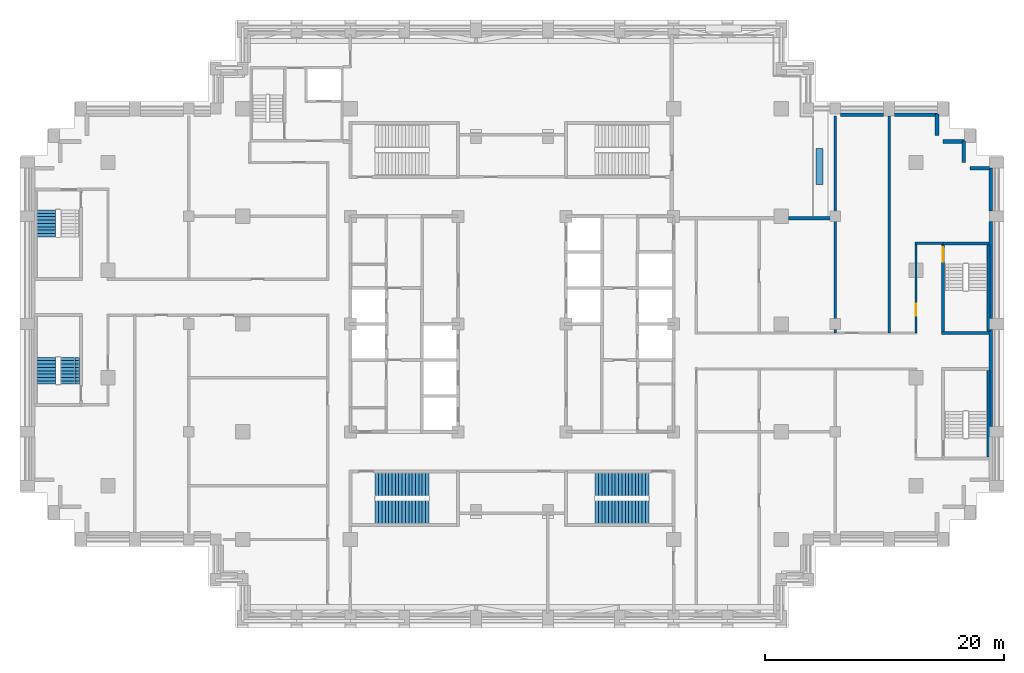
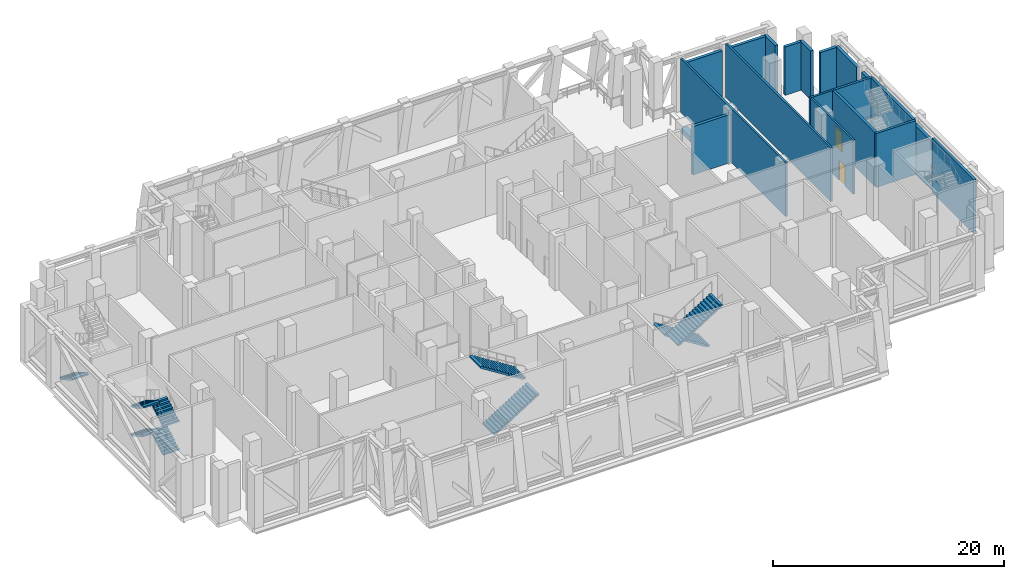
# One storey, part 9 of 14: 20 walls, 9 stair flights, 2 doors, 2 openings, 4 elements without a shape of their own.
"""IFC4 building model written with IfcOpenShell, lengths in metres."""

from ifc_helpers import new_model, si_unit, direction, frame, frame_2d, origin, place, context, subcontext, project, spatial, polyline, rectangle, outline, extrude, material, layer, layer_set, type_object, element, fill, aggregate, save


model = new_model("IFC4")

# Units and contexts
model_context = context("Model", 3, precision=1e-05, world=origin(), true_north=direction((0.0, 1.0)))
body_context = subcontext(model_context, "Body", "Model", "MODEL_VIEW")
ifc_project = project(units=[si_unit("LENGTHUNIT", "METRE"), si_unit("AREAUNIT", "SQUARE_METRE"), si_unit("VOLUMEUNIT", "CUBIC_METRE"), si_unit("PLANEANGLEUNIT", "RADIAN"), si_unit("MASSUNIT", "GRAM", prefix="KILO")], contexts=[model_context])

# Site, building, storey
site_placement = place(None, origin())
site = spatial("IfcSite", under=ifc_project, at=site_placement, CompositionType="ELEMENT")
building_placement = place(site_placement, origin())
building = spatial("IfcBuilding", under=site, at=building_placement, Name="Corbelhall Arena Tower", CompositionType="ELEMENT")
storey_placement = place(building_placement, frame((0.0, 0.0, 120.0)))
storey = spatial("IfcBuildingStorey", under=building, at=storey_placement, Name="L22", CompositionType="ELEMENT", Elevation=120.0)

# Walls
ifc_material_1 = material(Name="Precast concrete C40/50 with granite facing", Category="masonry")
ifc_layer_1 = layer(ifc_material_1, 0.300048828125)
ifc_layer_set_1 = layer_set([ifc_layer_1], Name="EV-IW1 Infill panel 300")
wall_type_1 = type_object("IfcWallType", Name="EV-IW1 Infill panel 300", PredefinedType="SOLIDWALL", material=ifc_layer_set_1)
wall_1_placement = place(storey_placement, frame((39.89990234375, 13.0, 0.0), z_axis=(0.0, 0.0, 1.0), x_axis=(-1.0, 0.0, 0.0)))
element("IfcWall", 1, at=wall_1_placement, inside=storey, type_object=wall_type_1, Name="Infill panel IW1", PredefinedType="SOLIDWALL", context=body_context, shape_type="SweptSolid", body=[
    extrude(rectangle(XDim=1.64990234375, YDim=0.300048828125, at=frame_2d((0.824951171875, 0.0))), origin(), (0.0, 0.0, 1.0), 5.10009765625),
])
for number, where, z_axis, x_axis, name in (
    (2, (37.75, 15.300048828125, 0.0), (0.0, 0.0, 1.0), (0.0, -1.0, 0.0), "Infill panel IW1"),
    (3, (37.800048828125, 15.25, 0.0), (0.0, 0.0, 1.0), (-1.0, 0.0, 0.0), "Infill panel IW1"),
    (4, (35.5, 17.550048828125, 0.0), (0.0, 0.0, 1.0), (0.0, -1.0, 0.0), "Infill panel IW1"),
):
    element("IfcWall", number, at=place(storey_placement, frame(where, z_axis=z_axis, x_axis=x_axis)), inside=storey, type_object=wall_type_1, Name=name, PredefinedType="SOLIDWALL", context=body_context, shape_type="SweptSolid", body=[
        extrude(rectangle(XDim=1.800048828125, YDim=0.300048828125, at=frame_2d((0.89990234375, 0.0))), origin(), (0.0, 0.0, 1.0), 5.10009765625),
    ])
for number, where, z_axis, x_axis, name in (
    (5, (40.0, -8.550048828125, 0.0), (0.0, 0.0, 1.0), (0.0, 1.0, 0.0), "Infill panel IW1"),
    (6, (40.0, 0.449951171875, 0.0), (0.0, 0.0, 1.0), (0.0, 1.0, 0.0), "Infill panel IW1"),
):
    element("IfcWall", number, at=place(storey_placement, frame(where, z_axis=z_axis, x_axis=x_axis)), inside=storey, type_object=wall_type_1, Name=name, PredefinedType="SOLIDWALL", context=body_context, shape_type="SweptSolid", body=[
        extrude(rectangle(XDim=8.10009765625, YDim=0.300048828125, at=frame_2d((4.050048828125, 0.0))), origin(), (0.0, 0.0, 1.0), 5.10009765625),
    ])
for number, where, z_axis, x_axis, name in (
    (7, (40.0, 9.449951171875, 0.0), (0.0, 0.0, 1.0), (0.0, 1.0, 0.0), "Infill panel IW1"),
    (8, (35.550048828125, 17.5, 0.0), (0.0, 0.0, 1.0), (-1.0, 0.0, 0.0), "Infill panel IW1"),
    (9, (31.050048828125, 17.5, 0.0), (0.0, 0.0, 1.0), (-1.0, 0.0, 0.0), "Infill panel IW1"),
):
    element("IfcWall", number, at=place(storey_placement, frame(where, z_axis=z_axis, x_axis=x_axis)), inside=storey, type_object=wall_type_1, Name=name, PredefinedType="SOLIDWALL", context=body_context, shape_type="SweptSolid", body=[
        extrude(rectangle(XDim=3.60009765625, YDim=0.300048828125, at=frame_2d((1.800048828125, 0.0))), origin(), (0.0, 0.0, 1.0), 5.10009765625),
    ])
wall_2_placement = place(storey_placement, frame((26.949951171875, 8.85009765625, 0.0), z_axis=(0.0, 0.0, 1.0), x_axis=(-1.0, 0.0, 0.0)))
element("IfcWall", 10, at=wall_2_placement, inside=storey, type_object=wall_type_1, Name="Infill panel IW1", PredefinedType="SOLIDWALL", context=body_context, shape_type="SweptSolid", body=[
    extrude(rectangle(XDim=3.849853515625, YDim=0.300048828125, at=frame_2d((1.9248046875, 0.0))), origin(), (0.0, 0.0, 1.0), 5.10009765625),
])
ifc_layer_2 = layer(ifc_material_1, 0.60009765625)
ifc_layer_set_2 = layer_set([ifc_layer_2], Name="EV-PL1 Planter box")
wall_type_2 = type_object("IfcWallType", Name="EV-PL1 Planter box", PredefinedType="SOLIDWALL", material=ifc_layer_set_2)
wall_3_placement = place(storey_placement, frame((25.68994140625, 14.669921875, 0.0), z_axis=(0.0, 0.0, 1.0), x_axis=(0.0, -1.0, 0.0)))
element("IfcWall", 11, at=wall_3_placement, inside=storey, type_object=wall_type_2, Name="PLANTER", PredefinedType="SOLIDWALL", context=body_context, shape_type="SweptSolid", body=[
    extrude(rectangle(XDim=3.0, YDim=0.60009765625, at=frame_2d((1.5, 0.0))), origin(), (0.0, 0.0, 1.0), 0.5400390625),
])
ifc_material_2 = material(Name="Gypsum board on steel stud, acoustic", Category="steel")
ifc_layer_3 = layer(ifc_material_2, 0.199951171875)
ifc_layer_set_3 = layer_set([ifc_layer_3], Name="IN-W-DM200")
wall_type_3 = type_object("IfcWallType", Name="IN-W-DM200", PredefinedType="PARTITIONING", material=ifc_layer_set_3)
for number, where, z_axis, x_axis, name in (
    (12, (27.0, 17.39990234375, 0.0), (0.0, 0.0, 1.0), (0.0, -1.0, 0.0), "Partition 036"),
    (13, (31.5, 17.39990234375, 0.0), (0.0, 0.0, 1.0), (0.0, -1.0, 0.0), "Partition 037"),
):
    element("IfcWall", number, at=place(storey_placement, frame(where, z_axis=z_axis, x_axis=x_axis)), inside=storey, type_object=wall_type_3, Name=name, PredefinedType="PARTITIONING", context=body_context, shape_type="SweptSolid", body=[
        extrude(rectangle(XDim=18.14990234375, YDim=0.199951171875, at=frame_2d((9.074951171875, 0.0))), origin(), (0.0, 0.0, 1.0), 5.699951171875),
    ])
wall_4_placement = place(storey_placement, frame((33.64990234375, 6.75, 0.0), z_axis=(0.0, 0.0, 1.0), x_axis=(1.0, 0.0, 0.0)))
element("IfcWall", 14, at=wall_4_placement, inside=storey, type_object=wall_type_3, Name="Partition 038", PredefinedType="PARTITIONING", context=body_context, shape_type="SweptSolid", body=[
    extrude(rectangle(XDim=2.35009765625, YDim=0.199951171875, at=frame_2d((1.175048828125, 0.0))), origin(), (0.0, 0.0, 1.0), 5.699951171875),
])

# Wall, opening, door
wall_5_placement = place(storey_placement, frame((33.75, -0.75, 0.0), z_axis=(0.0, 0.0, 1.0), x_axis=(0.0, 1.0, 0.0)))
wall_5 = element("IfcWall", 15, at=wall_5_placement, inside=storey, type_object=wall_type_3, Name="Partition 040", PredefinedType="PARTITIONING", context=body_context, shape_type="SweptSolid", body=[
    extrude(rectangle(XDim=7.5, YDim=0.199951171875, at=frame_2d((3.75, 0.0))), origin(), (0.0, 0.0, 1.0), 5.699951171875),
])
opening_1_placement = place(wall_5_placement, frame((1.449951171875, 0.0, 0.0)))
opening_1 = element("IfcOpeningElement", 16, at=opening_1_placement, cuts=wall_5, Name="Opening 26043", PredefinedType="OPENING", context=body_context, shape_type="SweptSolid", body=[
    extrude(rectangle(XDim=1.0, YDim=2.10009765625, at=frame_2d((0.5, 1.050048828125))), frame((0.0, 0.10009765625, 0.0), z_axis=(0.0, -1.0, 0.0), x_axis=(1.0, 0.0, 0.0)), (0.0, 0.0, 1.0), 0.199951171875),
])
ifc_material_3 = material(Name="Steel door set", Category="steel")
door_type_1 = type_object("IfcDoorType", Name="IN-D-SW100", OperationType="NOTDEFINED", PredefinedType="DOOR", material=ifc_material_3)
door_1_placement = place(opening_1_placement, origin())
door_1 = element("IfcDoor", 17, at=door_1_placement, inside=storey, type_object=door_type_1, Name="Door 043", OperationType="SINGLE_SWING_RIGHT", OverallHeight=2.10009765625, OverallWidth=1.0, PredefinedType="DOOR", context=body_context, shape_type="SweptSolid", body=[
    extrude(rectangle(XDim=1.0, YDim=2.10009765625, at=frame_2d((0.5, 1.050048828125))), frame((0.0, 0.02490234375, 0.0), z_axis=(0.0, -1.0, 0.0), x_axis=(1.0, 0.0, 0.0)), (0.0, 0.0, 1.0), 0.050048828125),
])
fill(opening_1, door_1)

# Wall
ifc_material_4 = material(Name="Concrete C40/50", Category="concrete")
ifc_layer_4 = layer(ifc_material_4, 0.25)
ifc_layer_set_4 = layer_set([ifc_layer_4], Name="IN-W-ST250")
wall_type_4 = type_object("IfcWallType", Name="IN-W-ST250", PredefinedType="SOLIDWALL", material=ifc_layer_set_4)
wall_6_placement = place(storey_placement, frame((35.875, -0.75, 0.0), z_axis=(0.0, 0.0, 1.0), x_axis=(1.0, 0.0, 0.0)))
element("IfcWall", 18, at=wall_6_placement, inside=storey, type_object=wall_type_4, Name="Shaft wall 100", PredefinedType="SOLIDWALL", context=body_context, shape_type="SweptSolid", body=[
    extrude(rectangle(XDim=3.97509765625, YDim=0.25, at=frame_2d((1.987548828125, 0.0))), origin(), (0.0, 0.0, 1.0), 5.699951171875),
])

# Wall, opening, door
wall_7_placement = place(storey_placement, frame((36.0, -0.75, 0.0), z_axis=(0.0, 0.0, 1.0), x_axis=(0.0, 1.0, 0.0)))
wall_7 = element("IfcWall", 19, at=wall_7_placement, inside=storey, type_object=wall_type_4, Name="Shaft wall 102", PredefinedType="SOLIDWALL", context=body_context, shape_type="SweptSolid", body=[
    extrude(rectangle(XDim=7.625, YDim=0.25, at=frame_2d((3.8125, 0.0))), origin(), (0.0, 0.0, 1.0), 5.699951171875),
])
opening_2_placement = place(wall_7_placement, frame((5.949951171875, 0.0, 0.0)))
opening_2 = element("IfcOpeningElement", 20, at=opening_2_placement, cuts=wall_7, Name="Opening 26021", PredefinedType="OPENING", context=body_context, shape_type="SweptSolid", body=[
    extrude(rectangle(XDim=1.199951171875, YDim=2.10009765625, at=frame_2d((0.60009765625, 1.050048828125))), frame((0.0, 0.125, 0.0), z_axis=(0.0, -1.0, 0.0), x_axis=(1.0, 0.0, 0.0)), (0.0, 0.0, 1.0), 0.25),
])
door_type_2 = type_object("IfcDoorType", Name="IN-D-ST120", OperationType="NOTDEFINED", PredefinedType="DOOR", material=ifc_material_3)
door_2_placement = place(opening_2_placement, origin())
door_2 = element("IfcDoor", 21, at=door_2_placement, inside=storey, type_object=door_type_2, Name="Door 021", OperationType="SINGLE_SWING_RIGHT", OverallHeight=2.10009765625, OverallWidth=1.199951171875, PredefinedType="DOOR", context=body_context, shape_type="SweptSolid", body=[
    extrude(rectangle(XDim=1.199951171875, YDim=2.10009765625, at=frame_2d((0.60009765625, 1.050048828125))), frame((0.0, 0.02490234375, 0.0), z_axis=(0.0, -1.0, 0.0), x_axis=(1.0, 0.0, 0.0)), (0.0, 0.0, 1.0), 0.050048828125),
])
fill(opening_2, door_2)

# Walls
wall_8_placement = place(storey_placement, frame((36.0, 6.75, 0.0), z_axis=(0.0, 0.0, 1.0), x_axis=(1.0, 0.0, 0.0)))
element("IfcWall", 22, at=wall_8_placement, inside=storey, type_object=wall_type_4, Name="Shaft wall 103", PredefinedType="SOLIDWALL", context=body_context, shape_type="SweptSolid", body=[
    extrude(rectangle(XDim=3.85009765625, YDim=0.25, at=frame_2d((1.925048828125, 0.0))), origin(), (0.0, 0.0, 1.0), 5.699951171875),
])
for number, where, z_axis, x_axis, name in (
    (23, (39.824951171875, -11.125, 0.0), (0.0, 0.0, 1.0), (0.0, 1.0, 0.0), "Shaft wall SD1 facade side"),
    (24, (39.824951171875, -0.625, 0.0), (0.0, 0.0, 1.0), (0.0, 1.0, 0.0), "Shaft wall SD2 facade side"),
):
    element("IfcWall", number, at=place(storey_placement, frame(where, z_axis=z_axis, x_axis=x_axis)), inside=storey, type_object=wall_type_4, Name=name, PredefinedType="SOLIDWALL", context=body_context, shape_type="SweptSolid", body=[
        extrude(rectangle(XDim=7.25, YDim=0.25, at=frame_2d((3.625, 0.0))), origin(), (0.0, 0.0, 1.0), 5.699951171875),
    ])

# Stair, stair flights
stair_type = type_object("IfcStairType", Name="IN-ST-TOWER", PredefinedType="HALF_TURN_STAIR", material=ifc_material_4)
stair_1_placement = place(storey_placement, origin())
stair_1 = element("IfcStair", 25, at=stair_1_placement, inside=storey, type_object=stair_type, Name="L22 Exit stair ST2", PredefinedType="HALF_TURN_STAIR")
stair_flight_type = type_object("IfcStairFlightType", Name="IN-SFL-RC", PredefinedType="STRAIGHT", material=ifc_material_4)
stair_flight_1_placement = place(storey_placement, frame((-11.425048828125, -15.699951171875, 0.0), z_axis=(0.0, 0.0, 1.0), x_axis=(1.0, 0.0, 0.0)))
stair_flight_1 = element("IfcStairFlight", 26, at=stair_flight_1_placement, type_object=stair_flight_type, Name="ST2 flight 1", NumberOfRisers=17, NumberOfTreads=16, PredefinedType="STRAIGHT", RiserHeight=0.176470588, TreadLength=0.28, context=body_context, shape_type="SweptSolid", body=[
    extrude(outline(polyline([(0.0, 0.0), (0.0, 0.176513671875), (0.280029296875, 0.176513671875), (0.280029296875, 0.35302734375), (0.56005859375, 0.35302734375), (0.56005859375, 0.529296875), (0.840087890625, 0.529296875), (0.840087890625, 0.705810546875), (1.1201171875, 0.705810546875), (1.1201171875, 0.88232421875), (1.39990234375, 0.88232421875), (1.39990234375, 1.058837890625), (1.679931640625, 1.058837890625), (1.679931640625, 1.2353515625), (1.9599609375, 1.2353515625), (1.9599609375, 1.411865234375), (2.239990234375, 1.411865234375), (2.239990234375, 1.588134765625), (2.52001953125, 1.588134765625), (2.52001953125, 1.7646484375), (2.800048828125, 1.7646484375), (2.800048828125, 1.941162109375), (3.080078125, 1.941162109375), (3.080078125, 2.11767578125), (3.360107421875, 2.11767578125), (3.360107421875, 2.294189453125), (3.639892578125, 2.294189453125), (3.639892578125, 2.470703125), (3.919921875, 2.470703125), (3.919921875, 2.64697265625), (4.199951171875, 2.64697265625), (4.199951171875, 2.823486328125), (4.47998046875, 2.823486328125), (4.47998046875, 3.0), (4.47998046875, 2.646240234375), (0.28125, 0.0), (0.0, 0.0)])), frame((0.0, 0.97509765625, 0.0), z_axis=(0.0, -1.0, 0.0), x_axis=(1.0, 0.0, 0.0)), (0.0, 0.0, 1.0), 1.949951171875),
])
stair_flight_2_placement = place(storey_placement, frame((-6.945068359375, -13.39990234375, 3.0), z_axis=(0.0, 0.0, 1.0), x_axis=(-1.0, 0.0, 0.0)))
stair_flight_2 = element("IfcStairFlight", 27, at=stair_flight_2_placement, type_object=stair_flight_type, Name="ST2 flight 2", NumberOfRisers=17, NumberOfTreads=16, PredefinedType="STRAIGHT", RiserHeight=0.176470588, TreadLength=0.28, context=body_context, shape_type="SweptSolid", body=[
    extrude(outline(polyline([(0.0, 0.0), (0.0, 0.176513671875), (0.280029296875, 0.176513671875), (0.280029296875, 0.35302734375), (0.56005859375, 0.35302734375), (0.56005859375, 0.529296875), (0.840087890625, 0.529296875), (0.840087890625, 0.705810546875), (1.1201171875, 0.705810546875), (1.1201171875, 0.88232421875), (1.39990234375, 0.88232421875), (1.39990234375, 1.058837890625), (1.679931640625, 1.058837890625), (1.679931640625, 1.2353515625), (1.9599609375, 1.2353515625), (1.9599609375, 1.411865234375), (2.239990234375, 1.411865234375), (2.239990234375, 1.588134765625), (2.52001953125, 1.588134765625), (2.52001953125, 1.7646484375), (2.800048828125, 1.7646484375), (2.800048828125, 1.941162109375), (3.080078125, 1.941162109375), (3.080078125, 2.11767578125), (3.360107421875, 2.11767578125), (3.360107421875, 2.294189453125), (3.639892578125, 2.294189453125), (3.639892578125, 2.470703125), (3.919921875, 2.470703125), (3.919921875, 2.64697265625), (4.199951171875, 2.64697265625), (4.199951171875, 2.823486328125), (4.47998046875, 2.823486328125), (4.47998046875, 3.0), (4.47998046875, 2.646240234375), (0.28125, 0.0), (0.0, 0.0)])), frame((0.0, 0.97509765625, 0.0), z_axis=(0.0, -1.0, 0.0), x_axis=(1.0, 0.0, 0.0)), (0.0, 0.0, 1.0), 1.949951171875),
])
aggregate(stair_1, [stair_flight_1, stair_flight_2])

stair_2_placement = place(storey_placement, origin())
stair_2 = element("IfcStair", 28, at=stair_2_placement, inside=storey, type_object=stair_type, Name="L22 Exit stair ST4", PredefinedType="HALF_TURN_STAIR")
stair_flight_3_placement = place(storey_placement, frame((11.425048828125, -13.39990234375, 0.0), z_axis=(0.0, 0.0, 1.0), x_axis=(-1.0, 0.0, 0.0)))
stair_flight_3 = element("IfcStairFlight", 29, at=stair_flight_3_placement, type_object=stair_flight_type, Name="ST4 flight 1", NumberOfRisers=17, NumberOfTreads=16, PredefinedType="STRAIGHT", RiserHeight=0.176470588, TreadLength=0.28, context=body_context, shape_type="SweptSolid", body=[
    extrude(outline(polyline([(0.0, 0.0), (0.0, 0.176513671875), (0.280029296875, 0.176513671875), (0.280029296875, 0.35302734375), (0.56005859375, 0.35302734375), (0.56005859375, 0.529296875), (0.840087890625, 0.529296875), (0.840087890625, 0.705810546875), (1.1201171875, 0.705810546875), (1.1201171875, 0.88232421875), (1.39990234375, 0.88232421875), (1.39990234375, 1.058837890625), (1.679931640625, 1.058837890625), (1.679931640625, 1.2353515625), (1.9599609375, 1.2353515625), (1.9599609375, 1.411865234375), (2.239990234375, 1.411865234375), (2.239990234375, 1.588134765625), (2.52001953125, 1.588134765625), (2.52001953125, 1.7646484375), (2.800048828125, 1.7646484375), (2.800048828125, 1.941162109375), (3.080078125, 1.941162109375), (3.080078125, 2.11767578125), (3.360107421875, 2.11767578125), (3.360107421875, 2.294189453125), (3.639892578125, 2.294189453125), (3.639892578125, 2.470703125), (3.919921875, 2.470703125), (3.919921875, 2.64697265625), (4.199951171875, 2.64697265625), (4.199951171875, 2.823486328125), (4.47998046875, 2.823486328125), (4.47998046875, 3.0), (4.47998046875, 2.646240234375), (0.28125, 0.0), (0.0, 0.0)])), frame((0.0, 0.97509765625, 0.0), z_axis=(0.0, -1.0, 0.0), x_axis=(1.0, 0.0, 0.0)), (0.0, 0.0, 1.0), 1.949951171875),
])
stair_flight_4_placement = place(storey_placement, frame((6.945068359375, -15.699951171875, 3.0), z_axis=(0.0, 0.0, 1.0), x_axis=(1.0, 0.0, 0.0)))
stair_flight_4 = element("IfcStairFlight", 30, at=stair_flight_4_placement, type_object=stair_flight_type, Name="ST4 flight 2", NumberOfRisers=17, NumberOfTreads=16, PredefinedType="STRAIGHT", RiserHeight=0.176470588, TreadLength=0.28, context=body_context, shape_type="SweptSolid", body=[
    extrude(outline(polyline([(0.0, 0.0), (0.0, 0.176513671875), (0.280029296875, 0.176513671875), (0.280029296875, 0.35302734375), (0.56005859375, 0.35302734375), (0.56005859375, 0.529296875), (0.840087890625, 0.529296875), (0.840087890625, 0.705810546875), (1.1201171875, 0.705810546875), (1.1201171875, 0.88232421875), (1.39990234375, 0.88232421875), (1.39990234375, 1.058837890625), (1.679931640625, 1.058837890625), (1.679931640625, 1.2353515625), (1.9599609375, 1.2353515625), (1.9599609375, 1.411865234375), (2.239990234375, 1.411865234375), (2.239990234375, 1.588134765625), (2.52001953125, 1.588134765625), (2.52001953125, 1.7646484375), (2.800048828125, 1.7646484375), (2.800048828125, 1.941162109375), (3.080078125, 1.941162109375), (3.080078125, 2.11767578125), (3.360107421875, 2.11767578125), (3.360107421875, 2.294189453125), (3.639892578125, 2.294189453125), (3.639892578125, 2.470703125), (3.919921875, 2.470703125), (3.919921875, 2.64697265625), (4.199951171875, 2.64697265625), (4.199951171875, 2.823486328125), (4.47998046875, 2.823486328125), (4.47998046875, 3.0), (4.47998046875, 2.646240234375), (0.28125, 0.0), (0.0, 0.0)])), frame((0.0, 0.97509765625, 0.0), z_axis=(0.0, -1.0, 0.0), x_axis=(1.0, 0.0, 0.0)), (0.0, 0.0, 1.0), 1.949951171875),
])
aggregate(stair_2, [stair_flight_3, stair_flight_4])

# Stair, stair flight
stair_3_placement = place(storey_placement, origin())
stair_3 = element("IfcStair", 31, at=stair_3_placement, inside=storey, type_object=stair_type, Name="L22 Exit stair SC1", PredefinedType="HALF_TURN_STAIR")
stair_flight_5_placement = place(storey_placement, frame((-38.89990234375, 9.52490234375, 0.0), z_axis=(0.0, 0.0, 1.0), x_axis=(0.0, -1.0, 0.0)))
stair_flight_5 = element("IfcStairFlight", 32, at=stair_flight_5_placement, type_object=stair_flight_type, Name="SC1 flight 1", NumberOfRisers=9, NumberOfTreads=8, PredefinedType="STRAIGHT", RiserHeight=0.166666667, TreadLength=0.28, context=body_context, shape_type="SweptSolid", body=[
    extrude(outline(polyline([(0.0, 0.0), (0.0, 0.166748046875), (0.280029296875, 0.166748046875), (0.280029296875, 0.333251953125), (0.56005859375, 0.333251953125), (0.56005859375, 0.5), (0.840087890625, 0.5), (0.840087890625, 0.666748046875), (1.1201171875, 0.666748046875), (1.1201171875, 0.833251953125), (1.39990234375, 0.833251953125), (1.39990234375, 1.0), (1.679931640625, 1.0), (1.679931640625, 1.166748046875), (1.9599609375, 1.166748046875), (1.9599609375, 1.333251953125), (2.239990234375, 1.333251953125), (2.239990234375, 1.5), (2.239990234375, 1.158935546875), (0.29296875, 0.0), (0.0, 0.0)])), frame((0.0, 0.800048828125, 0.0), z_axis=(0.0, -1.0, 0.0), x_axis=(1.0, 0.0, 0.0)), (0.0, 0.0, 1.0), 0.39990234375),
    extrude(outline(polyline([(0.0, 0.0), (0.0, 0.166748046875), (0.280029296875, 0.166748046875), (0.280029296875, 0.333251953125), (0.56005859375, 0.333251953125), (0.56005859375, 0.5), (0.840087890625, 0.5), (0.840087890625, 0.666748046875), (1.1201171875, 0.666748046875), (1.1201171875, 0.833251953125), (1.39990234375, 0.833251953125), (1.39990234375, 1.0), (1.679931640625, 1.0), (1.679931640625, 1.166748046875), (1.9599609375, 1.166748046875), (1.9599609375, 1.333251953125), (2.239990234375, 1.333251953125), (2.239990234375, 1.5), (2.239990234375, 1.158935546875), (0.29296875, 0.0), (0.0, 0.0)])), frame((0.0, 0.39599609375, 0.0), z_axis=(0.0, -1.0, 0.0), x_axis=(1.0, 0.0, 0.0)), (0.0, 0.0, 1.0), 0.7919921875),
    extrude(outline(polyline([(0.0, 0.0), (0.0, 0.166748046875), (0.280029296875, 0.166748046875), (0.280029296875, 0.333251953125), (0.56005859375, 0.333251953125), (0.56005859375, 0.5), (0.840087890625, 0.5), (0.840087890625, 0.666748046875), (1.1201171875, 0.666748046875), (1.1201171875, 0.833251953125), (1.39990234375, 0.833251953125), (1.39990234375, 1.0), (1.679931640625, 1.0), (1.679931640625, 1.166748046875), (1.9599609375, 1.166748046875), (1.9599609375, 1.333251953125), (2.239990234375, 1.333251953125), (2.239990234375, 1.5), (2.239990234375, 1.158935546875), (0.29296875, 0.0), (0.0, 0.0)])), frame((0.0, -0.39990234375, 0.0), z_axis=(0.0, -1.0, 0.0), x_axis=(1.0, 0.0, 0.0)), (0.0, 0.0, 1.0), 0.39990234375),
])
aggregate(stair_3, [stair_flight_5])

# Stair, stair flights
stair_4_placement = place(storey_placement, origin())
stair_4 = element("IfcStair", 33, at=stair_4_placement, inside=storey, type_object=stair_type, Name="L22 Exit stair SC2", PredefinedType="HALF_TURN_STAIR")
stair_flight_6_placement = place(storey_placement, frame((-36.925048828125, -5.02490234375, 0.0), z_axis=(0.0, 0.0, 1.0), x_axis=(0.0, 1.0, 0.0)))
stair_flight_6 = element("IfcStairFlight", 34, at=stair_flight_6_placement, type_object=stair_flight_type, Name="SC2 flight 1", NumberOfRisers=9, NumberOfTreads=8, PredefinedType="STRAIGHT", RiserHeight=0.166666667, TreadLength=0.28, context=body_context, shape_type="SweptSolid", body=[
    extrude(outline(polyline([(0.0, 0.0), (0.0, 0.166748046875), (0.280029296875, 0.166748046875), (0.280029296875, 0.333251953125), (0.56005859375, 0.333251953125), (0.56005859375, 0.5), (0.840087890625, 0.5), (0.840087890625, 0.666748046875), (1.1201171875, 0.666748046875), (1.1201171875, 0.833251953125), (1.39990234375, 0.833251953125), (1.39990234375, 1.0), (1.679931640625, 1.0), (1.679931640625, 1.166748046875), (1.9599609375, 1.166748046875), (1.9599609375, 1.333251953125), (2.239990234375, 1.333251953125), (2.239990234375, 1.5), (2.239990234375, 1.158935546875), (0.29296875, 0.0), (0.0, 0.0)])), frame((0.0, 0.800048828125, 0.0), z_axis=(0.0, -1.0, 0.0), x_axis=(1.0, 0.0, 0.0)), (0.0, 0.0, 1.0), 0.39990234375),
    extrude(outline(polyline([(0.0, 0.0), (0.0, 0.166748046875), (0.280029296875, 0.166748046875), (0.280029296875, 0.333251953125), (0.56005859375, 0.333251953125), (0.56005859375, 0.5), (0.840087890625, 0.5), (0.840087890625, 0.666748046875), (1.1201171875, 0.666748046875), (1.1201171875, 0.833251953125), (1.39990234375, 0.833251953125), (1.39990234375, 1.0), (1.679931640625, 1.0), (1.679931640625, 1.166748046875), (1.9599609375, 1.166748046875), (1.9599609375, 1.333251953125), (2.239990234375, 1.333251953125), (2.239990234375, 1.5), (2.239990234375, 1.158935546875), (0.29296875, 0.0), (0.0, 0.0)])), frame((0.0, 0.39599609375, 0.0), z_axis=(0.0, -1.0, 0.0), x_axis=(1.0, 0.0, 0.0)), (0.0, 0.0, 1.0), 0.7919921875),
    extrude(outline(polyline([(0.0, 0.0), (0.0, 0.166748046875), (0.280029296875, 0.166748046875), (0.280029296875, 0.333251953125), (0.56005859375, 0.333251953125), (0.56005859375, 0.5), (0.840087890625, 0.5), (0.840087890625, 0.666748046875), (1.1201171875, 0.666748046875), (1.1201171875, 0.833251953125), (1.39990234375, 0.833251953125), (1.39990234375, 1.0), (1.679931640625, 1.0), (1.679931640625, 1.166748046875), (1.9599609375, 1.166748046875), (1.9599609375, 1.333251953125), (2.239990234375, 1.333251953125), (2.239990234375, 1.5), (2.239990234375, 1.158935546875), (0.29296875, 0.0), (0.0, 0.0)])), frame((0.0, -0.39990234375, 0.0), z_axis=(0.0, -1.0, 0.0), x_axis=(1.0, 0.0, 0.0)), (0.0, 0.0, 1.0), 0.39990234375),
])
stair_flight_7_placement = place(storey_placement, frame((-38.89990234375, -2.784912109375, 1.5), z_axis=(0.0, 0.0, 1.0), x_axis=(0.0, -1.0, 0.0)))
stair_flight_7 = element("IfcStairFlight", 35, at=stair_flight_7_placement, type_object=stair_flight_type, Name="SC2 flight 2", NumberOfRisers=9, NumberOfTreads=8, PredefinedType="STRAIGHT", RiserHeight=0.166666667, TreadLength=0.28, context=body_context, shape_type="SweptSolid", body=[
    extrude(outline(polyline([(0.0, 0.0), (0.0, 0.166748046875), (0.280029296875, 0.166748046875), (0.280029296875, 0.333251953125), (0.56005859375, 0.333251953125), (0.56005859375, 0.5), (0.840087890625, 0.5), (0.840087890625, 0.666748046875), (1.1201171875, 0.666748046875), (1.1201171875, 0.833251953125), (1.39990234375, 0.833251953125), (1.39990234375, 1.0), (1.679931640625, 1.0), (1.679931640625, 1.166748046875), (1.9599609375, 1.166748046875), (1.9599609375, 1.333251953125), (2.239990234375, 1.333251953125), (2.239990234375, 1.5), (2.239990234375, 1.158935546875), (0.29296875, 0.0), (0.0, 0.0)])), frame((0.0, 0.800048828125, 0.0), z_axis=(0.0, -1.0, 0.0), x_axis=(1.0, 0.0, 0.0)), (0.0, 0.0, 1.0), 0.39990234375),
    extrude(outline(polyline([(0.0, 0.0), (0.0, 0.166748046875), (0.280029296875, 0.166748046875), (0.280029296875, 0.333251953125), (0.56005859375, 0.333251953125), (0.56005859375, 0.5), (0.840087890625, 0.5), (0.840087890625, 0.666748046875), (1.1201171875, 0.666748046875), (1.1201171875, 0.833251953125), (1.39990234375, 0.833251953125), (1.39990234375, 1.0), (1.679931640625, 1.0), (1.679931640625, 1.166748046875), (1.9599609375, 1.166748046875), (1.9599609375, 1.333251953125), (2.239990234375, 1.333251953125), (2.239990234375, 1.5), (2.239990234375, 1.158935546875), (0.29296875, 0.0), (0.0, 0.0)])), frame((0.0, 0.39599609375, 0.0), z_axis=(0.0, -1.0, 0.0), x_axis=(1.0, 0.0, 0.0)), (0.0, 0.0, 1.0), 0.7919921875),
    extrude(outline(polyline([(0.0, 0.0), (0.0, 0.166748046875), (0.280029296875, 0.166748046875), (0.280029296875, 0.333251953125), (0.56005859375, 0.333251953125), (0.56005859375, 0.5), (0.840087890625, 0.5), (0.840087890625, 0.666748046875), (1.1201171875, 0.666748046875), (1.1201171875, 0.833251953125), (1.39990234375, 0.833251953125), (1.39990234375, 1.0), (1.679931640625, 1.0), (1.679931640625, 1.166748046875), (1.9599609375, 1.166748046875), (1.9599609375, 1.333251953125), (2.239990234375, 1.333251953125), (2.239990234375, 1.5), (2.239990234375, 1.158935546875), (0.29296875, 0.0), (0.0, 0.0)])), frame((0.0, -0.39990234375, 0.0), z_axis=(0.0, -1.0, 0.0), x_axis=(1.0, 0.0, 0.0)), (0.0, 0.0, 1.0), 0.39990234375),
])
stair_flight_8_placement = place(storey_placement, frame((-36.925048828125, -5.02490234375, 3.0), z_axis=(0.0, 0.0, 1.0), x_axis=(0.0, 1.0, 0.0)))
stair_flight_8 = element("IfcStairFlight", 36, at=stair_flight_8_placement, type_object=stair_flight_type, Name="SC2 flight 3", NumberOfRisers=9, NumberOfTreads=8, PredefinedType="STRAIGHT", RiserHeight=0.166666667, TreadLength=0.28, context=body_context, shape_type="SweptSolid", body=[
    extrude(outline(polyline([(0.0, 0.0), (0.0, 0.166748046875), (0.280029296875, 0.166748046875), (0.280029296875, 0.333251953125), (0.56005859375, 0.333251953125), (0.56005859375, 0.5), (0.840087890625, 0.5), (0.840087890625, 0.666748046875), (1.1201171875, 0.666748046875), (1.1201171875, 0.833251953125), (1.39990234375, 0.833251953125), (1.39990234375, 1.0), (1.679931640625, 1.0), (1.679931640625, 1.166748046875), (1.9599609375, 1.166748046875), (1.9599609375, 1.333251953125), (2.239990234375, 1.333251953125), (2.239990234375, 1.5), (2.239990234375, 1.158935546875), (0.29296875, 0.0), (0.0, 0.0)])), frame((0.0, 0.800048828125, 0.0), z_axis=(0.0, -1.0, 0.0), x_axis=(1.0, 0.0, 0.0)), (0.0, 0.0, 1.0), 0.39990234375),
    extrude(outline(polyline([(0.0, 0.0), (0.0, 0.166748046875), (0.280029296875, 0.166748046875), (0.280029296875, 0.333251953125), (0.56005859375, 0.333251953125), (0.56005859375, 0.5), (0.840087890625, 0.5), (0.840087890625, 0.666748046875), (1.1201171875, 0.666748046875), (1.1201171875, 0.833251953125), (1.39990234375, 0.833251953125), (1.39990234375, 1.0), (1.679931640625, 1.0), (1.679931640625, 1.166748046875), (1.9599609375, 1.166748046875), (1.9599609375, 1.333251953125), (2.239990234375, 1.333251953125), (2.239990234375, 1.5), (2.239990234375, 1.158935546875), (0.29296875, 0.0), (0.0, 0.0)])), frame((0.0, 0.39599609375, 0.0), z_axis=(0.0, -1.0, 0.0), x_axis=(1.0, 0.0, 0.0)), (0.0, 0.0, 1.0), 0.7919921875),
    extrude(outline(polyline([(0.0, 0.0), (0.0, 0.166748046875), (0.280029296875, 0.166748046875), (0.280029296875, 0.333251953125), (0.56005859375, 0.333251953125), (0.56005859375, 0.5), (0.840087890625, 0.5), (0.840087890625, 0.666748046875), (1.1201171875, 0.666748046875), (1.1201171875, 0.833251953125), (1.39990234375, 0.833251953125), (1.39990234375, 1.0), (1.679931640625, 1.0), (1.679931640625, 1.166748046875), (1.9599609375, 1.166748046875), (1.9599609375, 1.333251953125), (2.239990234375, 1.333251953125), (2.239990234375, 1.5), (2.239990234375, 1.158935546875), (0.29296875, 0.0), (0.0, 0.0)])), frame((0.0, -0.39990234375, 0.0), z_axis=(0.0, -1.0, 0.0), x_axis=(1.0, 0.0, 0.0)), (0.0, 0.0, 1.0), 0.39990234375),
])
stair_flight_9_placement = place(storey_placement, frame((-38.89990234375, -2.784912109375, 4.5), z_axis=(0.0, 0.0, 1.0), x_axis=(0.0, -1.0, 0.0)))
stair_flight_9 = element("IfcStairFlight", 37, at=stair_flight_9_placement, type_object=stair_flight_type, Name="SC2 flight 4", NumberOfRisers=9, NumberOfTreads=8, PredefinedType="STRAIGHT", RiserHeight=0.166666667, TreadLength=0.28, context=body_context, shape_type="SweptSolid", body=[
    extrude(outline(polyline([(0.0, 0.0), (0.0, 0.166748046875), (0.280029296875, 0.166748046875), (0.280029296875, 0.333251953125), (0.56005859375, 0.333251953125), (0.56005859375, 0.5), (0.840087890625, 0.5), (0.840087890625, 0.666748046875), (1.1201171875, 0.666748046875), (1.1201171875, 0.833251953125), (1.39990234375, 0.833251953125), (1.39990234375, 1.0), (1.679931640625, 1.0), (1.679931640625, 1.166748046875), (1.9599609375, 1.166748046875), (1.9599609375, 1.333251953125), (2.239990234375, 1.333251953125), (2.239990234375, 1.5), (2.239990234375, 1.158935546875), (0.29296875, 0.0), (0.0, 0.0)])), frame((0.0, 0.800048828125, 0.0), z_axis=(0.0, -1.0, 0.0), x_axis=(1.0, 0.0, 0.0)), (0.0, 0.0, 1.0), 0.39990234375),
    extrude(outline(polyline([(0.0, 0.0), (0.0, 0.166748046875), (0.280029296875, 0.166748046875), (0.280029296875, 0.333251953125), (0.56005859375, 0.333251953125), (0.56005859375, 0.5), (0.840087890625, 0.5), (0.840087890625, 0.666748046875), (1.1201171875, 0.666748046875), (1.1201171875, 0.833251953125), (1.39990234375, 0.833251953125), (1.39990234375, 1.0), (1.679931640625, 1.0), (1.679931640625, 1.166748046875), (1.9599609375, 1.166748046875), (1.9599609375, 1.333251953125), (2.239990234375, 1.333251953125), (2.239990234375, 1.5), (2.239990234375, 1.158935546875), (0.29296875, 0.0), (0.0, 0.0)])), frame((0.0, 0.39599609375, 0.0), z_axis=(0.0, -1.0, 0.0), x_axis=(1.0, 0.0, 0.0)), (0.0, 0.0, 1.0), 0.7919921875),
    extrude(outline(polyline([(0.0, 0.0), (0.0, 0.166748046875), (0.280029296875, 0.166748046875), (0.280029296875, 0.333251953125), (0.56005859375, 0.333251953125), (0.56005859375, 0.5), (0.840087890625, 0.5), (0.840087890625, 0.666748046875), (1.1201171875, 0.666748046875), (1.1201171875, 0.833251953125), (1.39990234375, 0.833251953125), (1.39990234375, 1.0), (1.679931640625, 1.0), (1.679931640625, 1.166748046875), (1.9599609375, 1.166748046875), (1.9599609375, 1.333251953125), (2.239990234375, 1.333251953125), (2.239990234375, 1.5), (2.239990234375, 1.158935546875), (0.29296875, 0.0), (0.0, 0.0)])), frame((0.0, -0.39990234375, 0.0), z_axis=(0.0, -1.0, 0.0), x_axis=(1.0, 0.0, 0.0)), (0.0, 0.0, 1.0), 0.39990234375),
])
aggregate(stair_4, [stair_flight_6, stair_flight_7, stair_flight_8, stair_flight_9])

save(model, "model.ifc")
